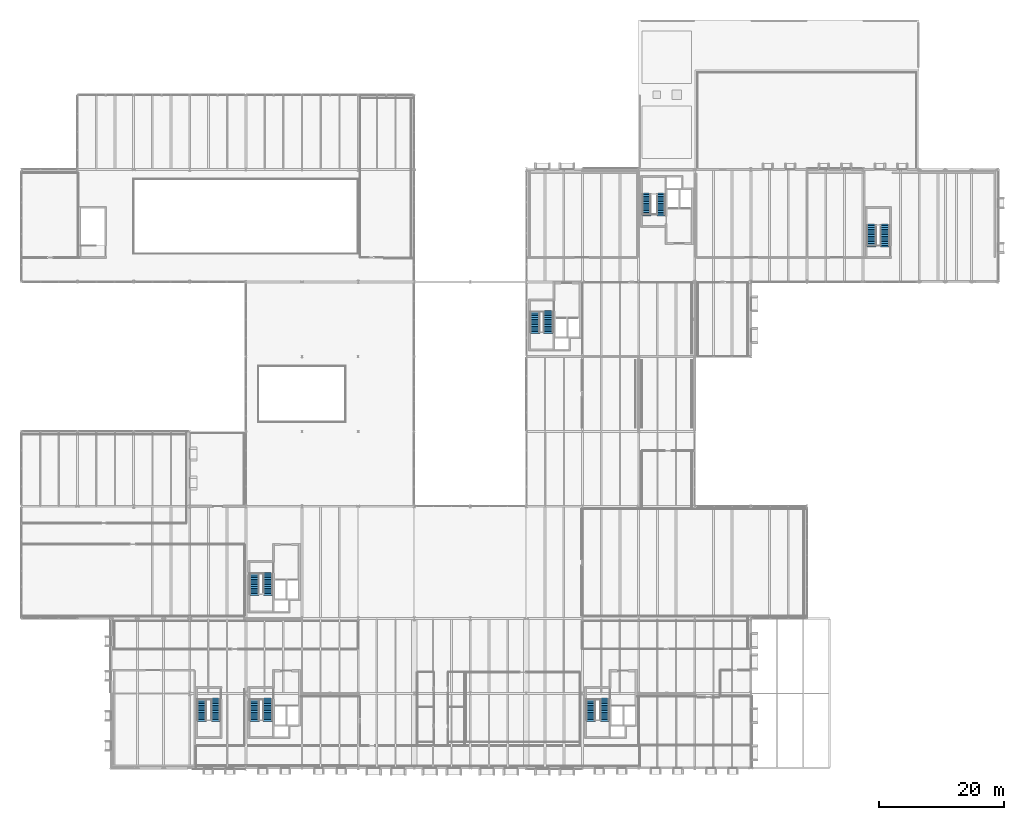
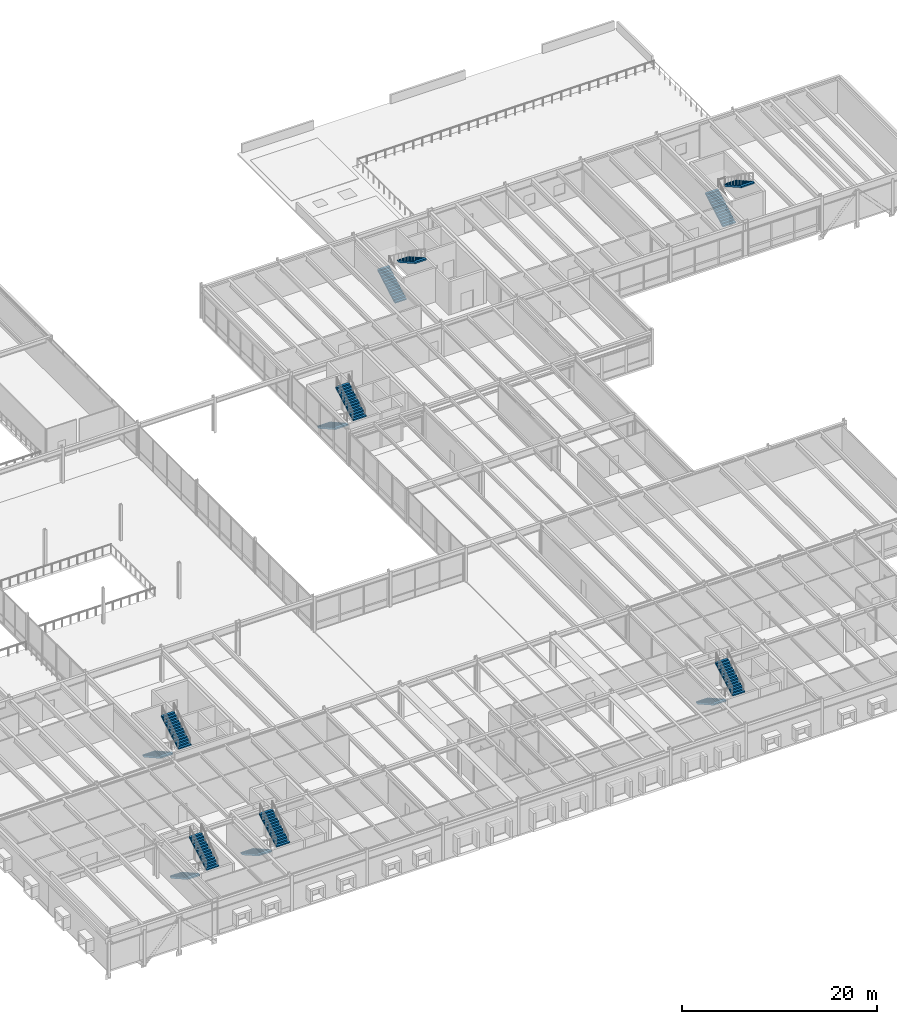
# One storey, part 110 of 115: 14 stair flights, 7 elements without a shape of their own.
"""IFC4 building model written with IfcOpenShell, lengths in metres."""

from ifc_helpers import new_model, si_unit, direction, frame, origin, place, context, subcontext, project, spatial, polyline, outline, extrude, material, type_object, element, aggregate, save


model = new_model("IFC4")

# Units and contexts
model_context = context("Model", 3, precision=1e-05, world=origin(), true_north=direction((0.0, 1.0)))
body_context = subcontext(model_context, "Body", "Model", "MODEL_VIEW")
ifc_project = project(units=[si_unit("LENGTHUNIT", "METRE"), si_unit("AREAUNIT", "SQUARE_METRE"), si_unit("VOLUMEUNIT", "CUBIC_METRE"), si_unit("PLANEANGLEUNIT", "RADIAN"), si_unit("MASSUNIT", "GRAM", prefix="KILO")], contexts=[model_context])

# Site, building, storey
site_placement = place(None, origin())
site = spatial("IfcSite", under=ifc_project, at=site_placement, CompositionType="ELEMENT")
building_placement = place(site_placement, origin())
building = spatial("IfcBuilding", under=site, at=building_placement, Name="Montelvaro Courts of Justice", CompositionType="ELEMENT")
storey_placement = place(building_placement, frame((0.0, 0.0, 9.89990234375)))
storey = spatial("IfcBuildingStorey", under=building, at=storey_placement, Name="L02", CompositionType="ELEMENT", Elevation=9.89990234375)

# Stair, stair flights
ifc_material = material(Name="Concrete C35/45", Category="concrete")
stair_type_1 = type_object("IfcStairType", Name="ProtectedStair_135", PredefinedType="HALF_TURN_STAIR", material=ifc_material)
stair_1_placement = place(storey_placement, origin())
stair_1 = element("IfcStair", 1, at=stair_1_placement, inside=storey, type_object=stair_type_1, Name="Protected Stair ST-K3-L02", PredefinedType="HALF_TURN_STAIR")
stair_flight_type_1 = type_object("IfcStairFlightType", Name="StairFlight_135", PredefinedType="STRAIGHT", material=ifc_material)
stair_flight_1_placement = place(storey_placement, frame((118.27490234375, 88.580078125, 0.0), z_axis=(0.0, 0.0, 1.0), x_axis=(0.0, 1.0, 0.0)))
stair_flight_1 = element("IfcStairFlight", 2, at=stair_flight_1_placement, type_object=stair_flight_type_1, Name="ST-K3-L02 flight 1", NumberOfRisers=14, NumberOfTreads=13, PredefinedType="STRAIGHT", RiserHeight=0.160714286, TreadLength=0.285, context=body_context, shape_type="SweptSolid", body=[
    extrude(outline(polyline([(0.0, 0.0), (0.0, 0.16064453125), (0.284912109375, 0.16064453125), (0.284912109375, 0.321533203125), (0.570068359375, 0.321533203125), (0.570068359375, 0.482177734375), (0.85498046875, 0.482177734375), (0.85498046875, 0.642822265625), (1.139892578125, 0.642822265625), (1.139892578125, 0.803466796875), (1.425048828125, 0.803466796875), (1.425048828125, 0.96435546875), (1.7099609375, 0.96435546875), (1.7099609375, 1.125), (1.9951171875, 1.125), (1.9951171875, 1.28564453125), (2.280029296875, 1.28564453125), (2.280029296875, 1.446533203125), (2.56494140625, 1.446533203125), (2.56494140625, 1.607177734375), (2.85009765625, 1.607177734375), (2.85009765625, 1.767822265625), (3.135009765625, 1.767822265625), (3.135009765625, 1.928466796875), (3.419921875, 1.928466796875), (3.419921875, 2.08935546875), (3.705078125, 2.08935546875), (3.705078125, 2.25), (3.705078125, 1.90576171875), (0.325439453125, 0.0), (0.0, 0.0)])), frame((0.0, 0.675048828125, 0.0), z_axis=(0.0, -1.0, 0.0), x_axis=(1.0, 0.0, 0.0)), (0.0, 0.0, 1.0), 1.35009765625),
])
stair_flight_2_placement = place(storey_placement, frame((120.625, 92.284912109375, 2.25), z_axis=(0.0, 0.0, 1.0), x_axis=(0.0, -1.0, 0.0)))
stair_flight_2 = element("IfcStairFlight", 3, at=stair_flight_2_placement, type_object=stair_flight_type_1, Name="ST-K3-L02 flight 2", NumberOfRisers=14, NumberOfTreads=13, PredefinedType="STRAIGHT", RiserHeight=0.160714286, TreadLength=0.285, context=body_context, shape_type="SweptSolid", body=[
    extrude(outline(polyline([(0.0, 0.0), (0.0, 0.16064453125), (0.284912109375, 0.16064453125), (0.284912109375, 0.321533203125), (0.570068359375, 0.321533203125), (0.570068359375, 0.482177734375), (0.85498046875, 0.482177734375), (0.85498046875, 0.642822265625), (1.139892578125, 0.642822265625), (1.139892578125, 0.803466796875), (1.425048828125, 0.803466796875), (1.425048828125, 0.96435546875), (1.7099609375, 0.96435546875), (1.7099609375, 1.125), (1.9951171875, 1.125), (1.9951171875, 1.28564453125), (2.280029296875, 1.28564453125), (2.280029296875, 1.446533203125), (2.56494140625, 1.446533203125), (2.56494140625, 1.607177734375), (2.85009765625, 1.607177734375), (2.85009765625, 1.767822265625), (3.135009765625, 1.767822265625), (3.135009765625, 1.928466796875), (3.419921875, 1.928466796875), (3.419921875, 2.08935546875), (3.705078125, 2.08935546875), (3.705078125, 2.25), (3.705078125, 1.90576171875), (0.325439453125, 0.0), (0.0, 0.0)])), frame((0.0, 0.675048828125, 0.0), z_axis=(0.0, -1.0, 0.0), x_axis=(1.0, 0.0, 0.0)), (0.0, 0.0, 1.0), 1.35009765625),
])
aggregate(stair_1, [stair_flight_1, stair_flight_2])

stair_type_2 = type_object("IfcStairType", Name="ProtectedStair_145", PredefinedType="HALF_TURN_STAIR", material=ifc_material)
stair_2_placement = place(storey_placement, origin())
stair_2 = element("IfcStair", 4, at=stair_2_placement, inside=storey, type_object=stair_type_2, Name="Protected Stair ST-K2-L02", PredefinedType="HALF_TURN_STAIR")
stair_flight_type_2 = type_object("IfcStairFlightType", Name="StairFlight_145", PredefinedType="STRAIGHT", material=ifc_material)
stair_flight_3_placement = place(storey_placement, frame((109.324951171875, 11.219970703125, 0.0), z_axis=(0.0, 0.0, 1.0), x_axis=(0.0, -1.0, 0.0)))
stair_flight_3 = element("IfcStairFlight", 5, at=stair_flight_3_placement, type_object=stair_flight_type_2, Name="ST-K2-L02 flight 1", NumberOfRisers=14, NumberOfTreads=13, PredefinedType="STRAIGHT", RiserHeight=0.160714286, TreadLength=0.285, context=body_context, shape_type="SweptSolid", body=[
    extrude(outline(polyline([(0.0, 0.0), (0.0, 0.16064453125), (0.284912109375, 0.16064453125), (0.284912109375, 0.321533203125), (0.570068359375, 0.321533203125), (0.570068359375, 0.482177734375), (0.85498046875, 0.482177734375), (0.85498046875, 0.642822265625), (1.139892578125, 0.642822265625), (1.139892578125, 0.803466796875), (1.425048828125, 0.803466796875), (1.425048828125, 0.96435546875), (1.7099609375, 0.96435546875), (1.7099609375, 1.125), (1.9951171875, 1.125), (1.9951171875, 1.28564453125), (2.280029296875, 1.28564453125), (2.280029296875, 1.446533203125), (2.56494140625, 1.446533203125), (2.56494140625, 1.607177734375), (2.85009765625, 1.607177734375), (2.85009765625, 1.767822265625), (3.135009765625, 1.767822265625), (3.135009765625, 1.928466796875), (3.419921875, 1.928466796875), (3.419921875, 2.08935546875), (3.705078125, 2.08935546875), (3.705078125, 2.25), (3.705078125, 1.90576171875), (0.325439453125, 0.0), (0.0, 0.0)])), frame((0.0, 0.72509765625, 0.0), z_axis=(0.0, -1.0, 0.0), x_axis=(1.0, 0.0, 0.0)), (0.0, 0.0, 1.0), 1.449951171875),
])
stair_flight_4_placement = place(storey_placement, frame((111.574951171875, 7.514892578125, 2.25), z_axis=(0.0, 0.0, 1.0), x_axis=(0.0, 1.0, 0.0)))
stair_flight_4 = element("IfcStairFlight", 6, at=stair_flight_4_placement, type_object=stair_flight_type_2, Name="ST-K2-L02 flight 2", NumberOfRisers=14, NumberOfTreads=13, PredefinedType="STRAIGHT", RiserHeight=0.160714286, TreadLength=0.285, context=body_context, shape_type="SweptSolid", body=[
    extrude(outline(polyline([(0.0, 0.0), (0.0, 0.16064453125), (0.284912109375, 0.16064453125), (0.284912109375, 0.321533203125), (0.570068359375, 0.321533203125), (0.570068359375, 0.482177734375), (0.85498046875, 0.482177734375), (0.85498046875, 0.642822265625), (1.139892578125, 0.642822265625), (1.139892578125, 0.803466796875), (1.425048828125, 0.803466796875), (1.425048828125, 0.96435546875), (1.7099609375, 0.96435546875), (1.7099609375, 1.125), (1.9951171875, 1.125), (1.9951171875, 1.28564453125), (2.280029296875, 1.28564453125), (2.280029296875, 1.446533203125), (2.56494140625, 1.446533203125), (2.56494140625, 1.607177734375), (2.85009765625, 1.607177734375), (2.85009765625, 1.767822265625), (3.135009765625, 1.767822265625), (3.135009765625, 1.928466796875), (3.419921875, 1.928466796875), (3.419921875, 2.08935546875), (3.705078125, 2.08935546875), (3.705078125, 2.25), (3.705078125, 1.90576171875), (0.325439453125, 0.0), (0.0, 0.0)])), frame((0.0, 0.72509765625, 0.0), z_axis=(0.0, -1.0, 0.0), x_axis=(1.0, 0.0, 0.0)), (0.0, 0.0, 1.0), 1.449951171875),
])
aggregate(stair_2, [stair_flight_3, stair_flight_4])

stair_3_placement = place(storey_placement, origin())
stair_3 = element("IfcStair", 7, at=stair_3_placement, inside=storey, type_object=stair_type_2, Name="Protected Stair ST-E1-L02", PredefinedType="HALF_TURN_STAIR")
stair_flight_5_placement = place(storey_placement, frame((46.925048828125, 11.219970703125, 0.0), z_axis=(0.0, 0.0, 1.0), x_axis=(0.0, -1.0, 0.0)))
stair_flight_5 = element("IfcStairFlight", 8, at=stair_flight_5_placement, type_object=stair_flight_type_2, Name="ST-E1-L02 flight 1", NumberOfRisers=14, NumberOfTreads=13, PredefinedType="STRAIGHT", RiserHeight=0.160714286, TreadLength=0.285, context=body_context, shape_type="SweptSolid", body=[
    extrude(outline(polyline([(0.0, 0.0), (0.0, 0.16064453125), (0.284912109375, 0.16064453125), (0.284912109375, 0.321533203125), (0.570068359375, 0.321533203125), (0.570068359375, 0.482177734375), (0.85498046875, 0.482177734375), (0.85498046875, 0.642822265625), (1.139892578125, 0.642822265625), (1.139892578125, 0.803466796875), (1.425048828125, 0.803466796875), (1.425048828125, 0.96435546875), (1.7099609375, 0.96435546875), (1.7099609375, 1.125), (1.9951171875, 1.125), (1.9951171875, 1.28564453125), (2.280029296875, 1.28564453125), (2.280029296875, 1.446533203125), (2.56494140625, 1.446533203125), (2.56494140625, 1.607177734375), (2.85009765625, 1.607177734375), (2.85009765625, 1.767822265625), (3.135009765625, 1.767822265625), (3.135009765625, 1.928466796875), (3.419921875, 1.928466796875), (3.419921875, 2.08935546875), (3.705078125, 2.08935546875), (3.705078125, 2.25), (3.705078125, 1.90576171875), (0.325439453125, 0.0), (0.0, 0.0)])), frame((0.0, 0.72509765625, 0.0), z_axis=(0.0, -1.0, 0.0), x_axis=(1.0, 0.0, 0.0)), (0.0, 0.0, 1.0), 1.449951171875),
])
stair_flight_6_placement = place(storey_placement, frame((49.175048828125, 7.514892578125, 2.25), z_axis=(0.0, 0.0, 1.0), x_axis=(0.0, 1.0, 0.0)))
stair_flight_6 = element("IfcStairFlight", 9, at=stair_flight_6_placement, type_object=stair_flight_type_2, Name="ST-E1-L02 flight 2", NumberOfRisers=14, NumberOfTreads=13, PredefinedType="STRAIGHT", RiserHeight=0.160714286, TreadLength=0.285, context=body_context, shape_type="SweptSolid", body=[
    extrude(outline(polyline([(0.0, 0.0), (0.0, 0.16064453125), (0.284912109375, 0.16064453125), (0.284912109375, 0.321533203125), (0.570068359375, 0.321533203125), (0.570068359375, 0.482177734375), (0.85498046875, 0.482177734375), (0.85498046875, 0.642822265625), (1.139892578125, 0.642822265625), (1.139892578125, 0.803466796875), (1.425048828125, 0.803466796875), (1.425048828125, 0.96435546875), (1.7099609375, 0.96435546875), (1.7099609375, 1.125), (1.9951171875, 1.125), (1.9951171875, 1.28564453125), (2.280029296875, 1.28564453125), (2.280029296875, 1.446533203125), (2.56494140625, 1.446533203125), (2.56494140625, 1.607177734375), (2.85009765625, 1.607177734375), (2.85009765625, 1.767822265625), (3.135009765625, 1.767822265625), (3.135009765625, 1.928466796875), (3.419921875, 1.928466796875), (3.419921875, 2.08935546875), (3.705078125, 2.08935546875), (3.705078125, 2.25), (3.705078125, 1.90576171875), (0.325439453125, 0.0), (0.0, 0.0)])), frame((0.0, 0.72509765625, 0.0), z_axis=(0.0, -1.0, 0.0), x_axis=(1.0, 0.0, 0.0)), (0.0, 0.0, 1.0), 1.449951171875),
])
aggregate(stair_3, [stair_flight_5, stair_flight_6])

stair_type_3 = type_object("IfcStairType", Name="ProtectedStair_150", PredefinedType="HALF_TURN_STAIR", material=ifc_material)
stair_4_placement = place(storey_placement, origin())
stair_4 = element("IfcStair", 10, at=stair_4_placement, inside=storey, type_object=stair_type_3, Name="Protected Stair ST-W1-L02", PredefinedType="HALF_TURN_STAIR")
stair_flight_type_3 = type_object("IfcStairFlightType", Name="StairFlight_150", PredefinedType="STRAIGHT", material=ifc_material)
stair_flight_7_placement = place(storey_placement, frame((55.35009765625, 31.419921875, 0.0), z_axis=(0.0, 0.0, 1.0), x_axis=(0.0, -1.0, 0.0)))
stair_flight_7 = element("IfcStairFlight", 11, at=stair_flight_7_placement, type_object=stair_flight_type_3, Name="ST-W1-L02 flight 1", NumberOfRisers=14, NumberOfTreads=13, PredefinedType="STRAIGHT", RiserHeight=0.160714286, TreadLength=0.285, context=body_context, shape_type="SweptSolid", body=[
    extrude(outline(polyline([(0.0, 0.0), (0.0, 0.16064453125), (0.284912109375, 0.16064453125), (0.284912109375, 0.321533203125), (0.570068359375, 0.321533203125), (0.570068359375, 0.482177734375), (0.85498046875, 0.482177734375), (0.85498046875, 0.642822265625), (1.139892578125, 0.642822265625), (1.139892578125, 0.803466796875), (1.425048828125, 0.803466796875), (1.425048828125, 0.96435546875), (1.7099609375, 0.96435546875), (1.7099609375, 1.125), (1.9951171875, 1.125), (1.9951171875, 1.28564453125), (2.280029296875, 1.28564453125), (2.280029296875, 1.446533203125), (2.56494140625, 1.446533203125), (2.56494140625, 1.607177734375), (2.85009765625, 1.607177734375), (2.85009765625, 1.767822265625), (3.135009765625, 1.767822265625), (3.135009765625, 1.928466796875), (3.419921875, 1.928466796875), (3.419921875, 2.08935546875), (3.705078125, 2.08935546875), (3.705078125, 2.25), (3.705078125, 1.90576171875), (0.325439453125, 0.0), (0.0, 0.0)])), frame((0.0, 0.75, 0.0), z_axis=(0.0, -1.0, 0.0), x_axis=(1.0, 0.0, 0.0)), (0.0, 0.0, 1.0), 1.5),
])
stair_flight_8_placement = place(storey_placement, frame((57.550048828125, 27.715087890625, 2.25), z_axis=(0.0, 0.0, 1.0), x_axis=(0.0, 1.0, 0.0)))
stair_flight_8 = element("IfcStairFlight", 12, at=stair_flight_8_placement, type_object=stair_flight_type_3, Name="ST-W1-L02 flight 2", NumberOfRisers=14, NumberOfTreads=13, PredefinedType="STRAIGHT", RiserHeight=0.160714286, TreadLength=0.285, context=body_context, shape_type="SweptSolid", body=[
    extrude(outline(polyline([(0.0, 0.0), (0.0, 0.16064453125), (0.284912109375, 0.16064453125), (0.284912109375, 0.321533203125), (0.570068359375, 0.321533203125), (0.570068359375, 0.482177734375), (0.85498046875, 0.482177734375), (0.85498046875, 0.642822265625), (1.139892578125, 0.642822265625), (1.139892578125, 0.803466796875), (1.425048828125, 0.803466796875), (1.425048828125, 0.96435546875), (1.7099609375, 0.96435546875), (1.7099609375, 1.125), (1.9951171875, 1.125), (1.9951171875, 1.28564453125), (2.280029296875, 1.28564453125), (2.280029296875, 1.446533203125), (2.56494140625, 1.446533203125), (2.56494140625, 1.607177734375), (2.85009765625, 1.607177734375), (2.85009765625, 1.767822265625), (3.135009765625, 1.767822265625), (3.135009765625, 1.928466796875), (3.419921875, 1.928466796875), (3.419921875, 2.08935546875), (3.705078125, 2.08935546875), (3.705078125, 2.25), (3.705078125, 1.90576171875), (0.325439453125, 0.0), (0.0, 0.0)])), frame((0.0, 0.75, 0.0), z_axis=(0.0, -1.0, 0.0), x_axis=(1.0, 0.0, 0.0)), (0.0, 0.0, 1.0), 1.5),
])
aggregate(stair_4, [stair_flight_7, stair_flight_8])

stair_5_placement = place(storey_placement, origin())
stair_5 = element("IfcStair", 13, at=stair_5_placement, inside=storey, type_object=stair_type_3, Name="Protected Stair ST-V2-L02", PredefinedType="HALF_TURN_STAIR")
stair_flight_9_placement = place(storey_placement, frame((154.35009765625, 83.580078125, 0.0), z_axis=(0.0, 0.0, 1.0), x_axis=(0.0, 1.0, 0.0)))
stair_flight_9 = element("IfcStairFlight", 14, at=stair_flight_9_placement, type_object=stair_flight_type_3, Name="ST-V2-L02 flight 1", NumberOfRisers=14, NumberOfTreads=13, PredefinedType="STRAIGHT", RiserHeight=0.160714286, TreadLength=0.285, context=body_context, shape_type="SweptSolid", body=[
    extrude(outline(polyline([(0.0, 0.0), (0.0, 0.16064453125), (0.284912109375, 0.16064453125), (0.284912109375, 0.321533203125), (0.570068359375, 0.321533203125), (0.570068359375, 0.482177734375), (0.85498046875, 0.482177734375), (0.85498046875, 0.642822265625), (1.139892578125, 0.642822265625), (1.139892578125, 0.803466796875), (1.425048828125, 0.803466796875), (1.425048828125, 0.96435546875), (1.7099609375, 0.96435546875), (1.7099609375, 1.125), (1.9951171875, 1.125), (1.9951171875, 1.28564453125), (2.280029296875, 1.28564453125), (2.280029296875, 1.446533203125), (2.56494140625, 1.446533203125), (2.56494140625, 1.607177734375), (2.85009765625, 1.607177734375), (2.85009765625, 1.767822265625), (3.135009765625, 1.767822265625), (3.135009765625, 1.928466796875), (3.419921875, 1.928466796875), (3.419921875, 2.08935546875), (3.705078125, 2.08935546875), (3.705078125, 2.25), (3.705078125, 1.90576171875), (0.325439453125, 0.0), (0.0, 0.0)])), frame((0.0, 0.75, 0.0), z_axis=(0.0, -1.0, 0.0), x_axis=(1.0, 0.0, 0.0)), (0.0, 0.0, 1.0), 1.5),
])
stair_flight_10_placement = place(storey_placement, frame((156.550048828125, 87.284912109375, 2.25), z_axis=(0.0, 0.0, 1.0), x_axis=(0.0, -1.0, 0.0)))
stair_flight_10 = element("IfcStairFlight", 15, at=stair_flight_10_placement, type_object=stair_flight_type_3, Name="ST-V2-L02 flight 2", NumberOfRisers=14, NumberOfTreads=13, PredefinedType="STRAIGHT", RiserHeight=0.160714286, TreadLength=0.285, context=body_context, shape_type="SweptSolid", body=[
    extrude(outline(polyline([(0.0, 0.0), (0.0, 0.16064453125), (0.284912109375, 0.16064453125), (0.284912109375, 0.321533203125), (0.570068359375, 0.321533203125), (0.570068359375, 0.482177734375), (0.85498046875, 0.482177734375), (0.85498046875, 0.642822265625), (1.139892578125, 0.642822265625), (1.139892578125, 0.803466796875), (1.425048828125, 0.803466796875), (1.425048828125, 0.96435546875), (1.7099609375, 0.96435546875), (1.7099609375, 1.125), (1.9951171875, 1.125), (1.9951171875, 1.28564453125), (2.280029296875, 1.28564453125), (2.280029296875, 1.446533203125), (2.56494140625, 1.446533203125), (2.56494140625, 1.607177734375), (2.85009765625, 1.607177734375), (2.85009765625, 1.767822265625), (3.135009765625, 1.767822265625), (3.135009765625, 1.928466796875), (3.419921875, 1.928466796875), (3.419921875, 2.08935546875), (3.705078125, 2.08935546875), (3.705078125, 2.25), (3.705078125, 1.90576171875), (0.325439453125, 0.0), (0.0, 0.0)])), frame((0.0, 0.75, 0.0), z_axis=(0.0, -1.0, 0.0), x_axis=(1.0, 0.0, 0.0)), (0.0, 0.0, 1.0), 1.5),
])
aggregate(stair_5, [stair_flight_9, stair_flight_10])

stair_type_4 = type_object("IfcStairType", Name="ProtectedStair_155", PredefinedType="HALF_TURN_STAIR", material=ifc_material)
stair_6_placement = place(storey_placement, origin())
stair_6 = element("IfcStair", 16, at=stair_6_placement, inside=storey, type_object=stair_type_4, Name="Protected Stair ST-K1-L02", PredefinedType="HALF_TURN_STAIR")
stair_flight_type_4 = type_object("IfcStairFlightType", Name="StairFlight_155", PredefinedType="STRAIGHT", material=ifc_material)
stair_flight_11_placement = place(storey_placement, frame((55.375, 11.219970703125, 0.0), z_axis=(0.0, 0.0, 1.0), x_axis=(0.0, -1.0, 0.0)))
stair_flight_11 = element("IfcStairFlight", 17, at=stair_flight_11_placement, type_object=stair_flight_type_4, Name="ST-K1-L02 flight 1", NumberOfRisers=14, NumberOfTreads=13, PredefinedType="STRAIGHT", RiserHeight=0.160714286, TreadLength=0.285, context=body_context, shape_type="SweptSolid", body=[
    extrude(outline(polyline([(0.0, 0.0), (0.0, 0.16064453125), (0.284912109375, 0.16064453125), (0.284912109375, 0.321533203125), (0.570068359375, 0.321533203125), (0.570068359375, 0.482177734375), (0.85498046875, 0.482177734375), (0.85498046875, 0.642822265625), (1.139892578125, 0.642822265625), (1.139892578125, 0.803466796875), (1.425048828125, 0.803466796875), (1.425048828125, 0.96435546875), (1.7099609375, 0.96435546875), (1.7099609375, 1.125), (1.9951171875, 1.125), (1.9951171875, 1.28564453125), (2.280029296875, 1.28564453125), (2.280029296875, 1.446533203125), (2.56494140625, 1.446533203125), (2.56494140625, 1.607177734375), (2.85009765625, 1.607177734375), (2.85009765625, 1.767822265625), (3.135009765625, 1.767822265625), (3.135009765625, 1.928466796875), (3.419921875, 1.928466796875), (3.419921875, 2.08935546875), (3.705078125, 2.08935546875), (3.705078125, 2.25), (3.705078125, 1.90576171875), (0.325439453125, 0.0), (0.0, 0.0)])), frame((0.0, 0.77490234375, 0.0), z_axis=(0.0, -1.0, 0.0), x_axis=(1.0, 0.0, 0.0)), (0.0, 0.0, 1.0), 1.550048828125),
])
stair_flight_12_placement = place(storey_placement, frame((57.52490234375, 7.514892578125, 2.25), z_axis=(0.0, 0.0, 1.0), x_axis=(0.0, 1.0, 0.0)))
stair_flight_12 = element("IfcStairFlight", 18, at=stair_flight_12_placement, type_object=stair_flight_type_4, Name="ST-K1-L02 flight 2", NumberOfRisers=14, NumberOfTreads=13, PredefinedType="STRAIGHT", RiserHeight=0.160714286, TreadLength=0.285, context=body_context, shape_type="SweptSolid", body=[
    extrude(outline(polyline([(0.0, 0.0), (0.0, 0.16064453125), (0.284912109375, 0.16064453125), (0.284912109375, 0.321533203125), (0.570068359375, 0.321533203125), (0.570068359375, 0.482177734375), (0.85498046875, 0.482177734375), (0.85498046875, 0.642822265625), (1.139892578125, 0.642822265625), (1.139892578125, 0.803466796875), (1.425048828125, 0.803466796875), (1.425048828125, 0.96435546875), (1.7099609375, 0.96435546875), (1.7099609375, 1.125), (1.9951171875, 1.125), (1.9951171875, 1.28564453125), (2.280029296875, 1.28564453125), (2.280029296875, 1.446533203125), (2.56494140625, 1.446533203125), (2.56494140625, 1.607177734375), (2.85009765625, 1.607177734375), (2.85009765625, 1.767822265625), (3.135009765625, 1.767822265625), (3.135009765625, 1.928466796875), (3.419921875, 1.928466796875), (3.419921875, 2.08935546875), (3.705078125, 2.08935546875), (3.705078125, 2.25), (3.705078125, 1.90576171875), (0.325439453125, 0.0), (0.0, 0.0)])), frame((0.0, 0.77490234375, 0.0), z_axis=(0.0, -1.0, 0.0), x_axis=(1.0, 0.0, 0.0)), (0.0, 0.0, 1.0), 1.550048828125),
])
aggregate(stair_6, [stair_flight_11, stair_flight_12])

stair_7_placement = place(storey_placement, origin())
stair_7 = element("IfcStair", 19, at=stair_7_placement, inside=storey, type_object=stair_type_4, Name="Protected Stair ST-K4-L02", PredefinedType="HALF_TURN_STAIR")
stair_flight_13_placement = place(storey_placement, frame((100.375, 73.419921875, 0.0), z_axis=(0.0, 0.0, 1.0), x_axis=(0.0, -1.0, 0.0)))
stair_flight_13 = element("IfcStairFlight", 20, at=stair_flight_13_placement, type_object=stair_flight_type_4, Name="ST-K4-L02 flight 1", NumberOfRisers=14, NumberOfTreads=13, PredefinedType="STRAIGHT", RiserHeight=0.160714286, TreadLength=0.285, context=body_context, shape_type="SweptSolid", body=[
    extrude(outline(polyline([(0.0, 0.0), (0.0, 0.16064453125), (0.284912109375, 0.16064453125), (0.284912109375, 0.321533203125), (0.570068359375, 0.321533203125), (0.570068359375, 0.482177734375), (0.85498046875, 0.482177734375), (0.85498046875, 0.642822265625), (1.139892578125, 0.642822265625), (1.139892578125, 0.803466796875), (1.425048828125, 0.803466796875), (1.425048828125, 0.96435546875), (1.7099609375, 0.96435546875), (1.7099609375, 1.125), (1.9951171875, 1.125), (1.9951171875, 1.28564453125), (2.280029296875, 1.28564453125), (2.280029296875, 1.446533203125), (2.56494140625, 1.446533203125), (2.56494140625, 1.607177734375), (2.85009765625, 1.607177734375), (2.85009765625, 1.767822265625), (3.135009765625, 1.767822265625), (3.135009765625, 1.928466796875), (3.419921875, 1.928466796875), (3.419921875, 2.08935546875), (3.705078125, 2.08935546875), (3.705078125, 2.25), (3.705078125, 1.90576171875), (0.325439453125, 0.0), (0.0, 0.0)])), frame((0.0, 0.77490234375, 0.0), z_axis=(0.0, -1.0, 0.0), x_axis=(1.0, 0.0, 0.0)), (0.0, 0.0, 1.0), 1.550048828125),
])
stair_flight_14_placement = place(storey_placement, frame((102.52490234375, 69.715087890625, 2.25), z_axis=(0.0, 0.0, 1.0), x_axis=(0.0, 1.0, 0.0)))
stair_flight_14 = element("IfcStairFlight", 21, at=stair_flight_14_placement, type_object=stair_flight_type_4, Name="ST-K4-L02 flight 2", NumberOfRisers=14, NumberOfTreads=13, PredefinedType="STRAIGHT", RiserHeight=0.160714286, TreadLength=0.285, context=body_context, shape_type="SweptSolid", body=[
    extrude(outline(polyline([(0.0, 0.0), (0.0, 0.16064453125), (0.284912109375, 0.16064453125), (0.284912109375, 0.321533203125), (0.570068359375, 0.321533203125), (0.570068359375, 0.482177734375), (0.85498046875, 0.482177734375), (0.85498046875, 0.642822265625), (1.139892578125, 0.642822265625), (1.139892578125, 0.803466796875), (1.425048828125, 0.803466796875), (1.425048828125, 0.96435546875), (1.7099609375, 0.96435546875), (1.7099609375, 1.125), (1.9951171875, 1.125), (1.9951171875, 1.28564453125), (2.280029296875, 1.28564453125), (2.280029296875, 1.446533203125), (2.56494140625, 1.446533203125), (2.56494140625, 1.607177734375), (2.85009765625, 1.607177734375), (2.85009765625, 1.767822265625), (3.135009765625, 1.767822265625), (3.135009765625, 1.928466796875), (3.419921875, 1.928466796875), (3.419921875, 2.08935546875), (3.705078125, 2.08935546875), (3.705078125, 2.25), (3.705078125, 1.90576171875), (0.325439453125, 0.0), (0.0, 0.0)])), frame((0.0, 0.77490234375, 0.0), z_axis=(0.0, -1.0, 0.0), x_axis=(1.0, 0.0, 0.0)), (0.0, 0.0, 1.0), 1.550048828125),
])
aggregate(stair_7, [stair_flight_13, stair_flight_14])

save(model, "model.ifc")
